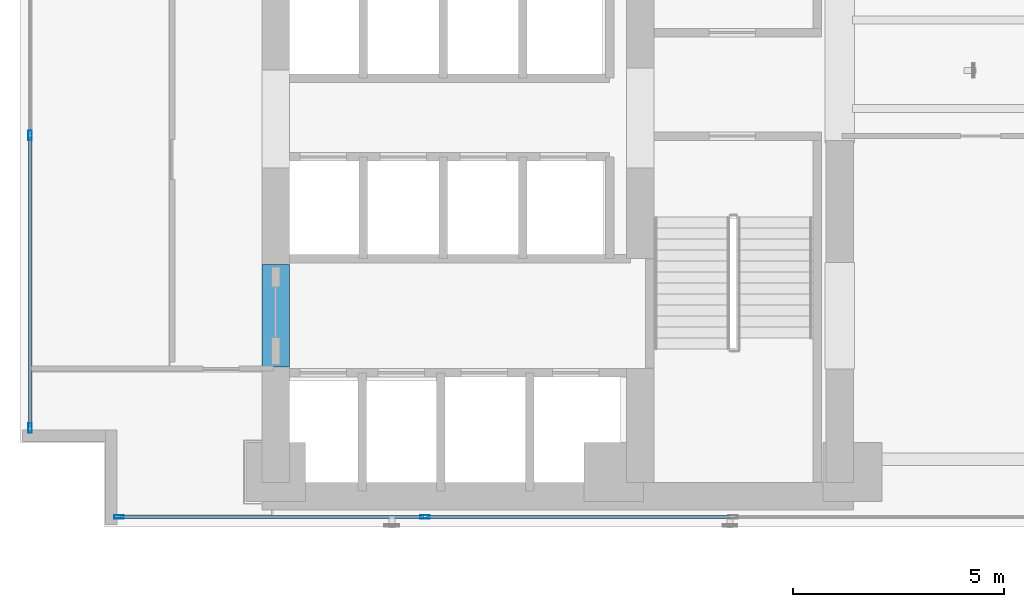
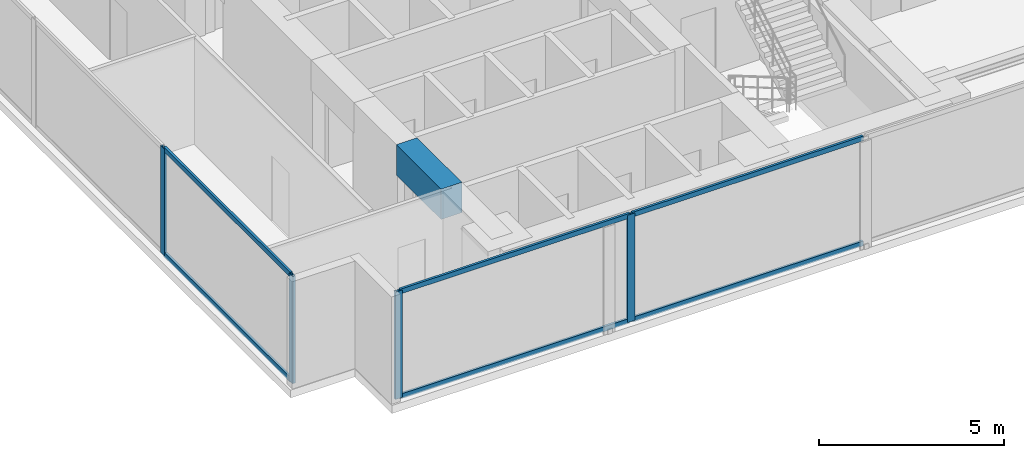
# One storey, part 2 of 28: 10 members, 1 beam, 2 elements without a shape of their own.
"""IFC4 building model written with IfcOpenShell, lengths in metres."""

import ifcopenshell
import ifcopenshell.guid

model = None  # the IFC model being written
_history = None  # IfcOwnerHistory: only IFC2X3 demands one
_inside = {}  # id of a spatial element -> (the spatial element, [elements in it])
_under = {}  # id of a project, library or spatial element -> (it, [spatial elements below it])
_declared = {}  # id of a project -> (the project, [libraries it declares])
_typed = {}  # id of a type object -> (the type object, [elements of that type])
_made_of = {}  # id of a material, layer set ... -> (it, [elements and type objects made of it])


def new_model(schema):
    """Start an empty IFC model of exactly this schema.

    Asked for "IFC4X3", IfcOpenShell would pick the latest addendum, in which some entities
    have other attributes; the version numbers below select the first issue.
    IFC2X3 requires an IfcOwnerHistory on every rooted entity: one is made here for all.
    """
    global model, _history
    if schema == "IFC4X3":
        model = ifcopenshell.file(schema_version=(4, 3, 0, 0))
    else:
        model = ifcopenshell.file(schema=schema)
    _inside.clear()
    _under.clear()
    _declared.clear()
    _typed.clear()
    _made_of.clear()
    _history = None
    if model.schema == "IFC2X3":
        org = make("IfcOrganization", Name="unknown")
        user = make(
            "IfcPersonAndOrganization",
            ThePerson=make("IfcPerson", FamilyName="unknown"),
            TheOrganization=org,
        )
        app = make(
            "IfcApplication",
            ApplicationDeveloper=org,
            Version="unknown",
            ApplicationFullName="unknown",
            ApplicationIdentifier="unknown",
        )
        _history = make(
            "IfcOwnerHistory",
            OwningUser=user,
            OwningApplication=app,
            ChangeAction="ADDED",
            CreationDate=0,
        )
    return model


def make(cls, **values):
    """One entity of the class cls with the attributes given. An attribute that is None is left unset."""
    return model.create_entity(
        cls, **{name: value for name, value in values.items() if value is not None}
    )


def rooted(cls, **values):
    """An entity with a GlobalId (a new one), such as an element, a storey or a relation."""
    return make(cls, GlobalId=ifcopenshell.guid.new(), OwnerHistory=_history, **values)


def si_unit(unit_type, name, prefix=None):
    """IfcSIUnit, for example si_unit("LENGTHUNIT", "METRE", prefix="MILLI")."""
    return make("IfcSIUnit", UnitType=unit_type, Prefix=prefix, Name=name)


def assignment(units):
    """IfcUnitAssignment: the units of a project."""
    return None if units is None else make("IfcUnitAssignment", Units=units)


def point(xyz):
    """IfcCartesianPoint."""
    return None if xyz is None else make("IfcCartesianPoint", Coordinates=xyz)


def direction(xyz):
    """IfcDirection."""
    return None if xyz is None else make("IfcDirection", DirectionRatios=xyz)


def frame(location, z_axis=None, x_axis=None):
    """IfcAxis2Placement3D, a coordinate frame: its origin and axes. An axis left out is left unset."""
    return make(
        "IfcAxis2Placement3D",
        Location=point(location),
        Axis=direction(z_axis),
        RefDirection=direction(x_axis),
    )


def frame_2d(location, x_axis=None):
    """IfcAxis2Placement2D, a coordinate frame in the plane: its origin and x axis."""
    return make(
        "IfcAxis2Placement2D", Location=point(location), RefDirection=direction(x_axis)
    )


def origin():
    """The frame at (0, 0, 0) with its axes left unset."""
    return frame((0.0, 0.0, 0.0))


def origin_with_axes():
    """The frame at (0, 0, 0) with the z axis (0, 0, 1) and the x axis (1, 0, 0) written out."""
    return frame((0.0, 0.0, 0.0), z_axis=(0.0, 0.0, 1.0), x_axis=(1.0, 0.0, 0.0))


def origin_2d():
    """The frame at (0, 0) in the plane with its x axis left unset."""
    return frame_2d((0.0, 0.0))


def place(relative_to, where):
    """IfcLocalPlacement: puts the frame where relative to a parent placement (None: the world)."""
    return make(
        "IfcLocalPlacement", PlacementRelTo=relative_to, RelativePlacement=where
    )


def context(
    kind, dimensions, precision=None, world=None, true_north=None, identifier=None
):
    """IfcGeometricRepresentationContext, for example the 3D "Model" context."""
    return make(
        "IfcGeometricRepresentationContext",
        ContextIdentifier=identifier,
        ContextType=kind,
        CoordinateSpaceDimension=dimensions,
        Precision=precision,
        WorldCoordinateSystem=world,
        TrueNorth=true_north,
    )


def subcontext(parent, identifier, kind, view, scale=None):
    """IfcGeometricRepresentationSubContext, for example "Body" below "Model"."""
    return make(
        "IfcGeometricRepresentationSubContext",
        ContextIdentifier=identifier,
        ContextType=kind,
        ParentContext=parent,
        TargetScale=scale,
        TargetView=view,
    )


def project(units=None, contexts=None):
    """IfcProject with its units and contexts."""
    return rooted(
        "IfcProject",
        Name="project",
        RepresentationContexts=contexts,
        UnitsInContext=assignment(units),
    )


def spatial(cls, under=None, at=None, **own):
    """A site, building, storey or space (cls), placed at a placement, below another one or the project."""
    s = rooted(cls, ObjectPlacement=at, **own)
    if under is not None:
        _under.setdefault(under.id(), (under, []))[1].append(s)
    return s


def profile(cls, at=None, kind="AREA", **sizes):
    """A parametric profile (cls). Its sizes go by their IFC names, for example OverallWidth=200.0."""
    return make(cls, ProfileType=kind, Position=at, **sizes)


def rectangle(**sizes):
    """IfcRectangleProfileDef."""
    return profile("IfcRectangleProfileDef", **sizes)


def hollow_rectangle(**sizes):
    """IfcRectangleHollowProfileDef."""
    return profile("IfcRectangleHollowProfileDef", **sizes)


def extrude(swept, where, along, depth):
    """IfcExtrudedAreaSolid: the profile swept, set in the frame where, extruded along a direction by depth."""
    return make(
        "IfcExtrudedAreaSolid",
        SweptArea=swept,
        Position=where,
        ExtrudedDirection=direction(along),
        Depth=depth,
    )


def shape(context_of_items, identifier, shape_type, items):
    """IfcShapeRepresentation: the items that make up one representation, for example the "Body"."""
    return make(
        "IfcShapeRepresentation",
        ContextOfItems=context_of_items,
        RepresentationIdentifier=identifier,
        RepresentationType=shape_type,
        Items=items,
    )


def source(mapping_origin, context_of_items, identifier, shape_type, items):
    """IfcRepresentationMap: a shape defined once, which mapped items show again and again."""
    return make(
        "IfcRepresentationMap",
        MappingOrigin=mapping_origin,
        MappedRepresentation=shape(context_of_items, identifier, shape_type, items),
    )


def transform(
    local_origin,
    x_axis=None,
    y_axis=None,
    z_axis=None,
    scale=None,
    scale2=None,
    scale3=None,
    uniform=True,
):
    """IfcCartesianTransformationOperator3D, or its non-uniform kind. x_axis, y_axis, z_axis: its Axis1, 2, 3."""
    if uniform:
        return make(
            "IfcCartesianTransformationOperator3D",
            Axis1=direction(x_axis),
            Axis2=direction(y_axis),
            LocalOrigin=point(local_origin),
            Scale=scale,
            Axis3=direction(z_axis),
        )
    return make(
        "IfcCartesianTransformationOperator3DnonUniform",
        Axis1=direction(x_axis),
        Axis2=direction(y_axis),
        LocalOrigin=point(local_origin),
        Scale=scale,
        Axis3=direction(z_axis),
        Scale2=scale2,
        Scale3=scale3,
    )


def mapped(mapping_source, mapping_target):
    """IfcMappedItem: shows the shape of a source again, moved by a transform."""
    return make(
        "IfcMappedItem", MappingSource=mapping_source, MappingTarget=mapping_target
    )


def material(Name=None, Category=None):
    """IfcMaterial."""
    return make("IfcMaterial", Name=Name, Category=Category)


def layer(
    of_material, thickness, ventilated=None, Name=None, Category=None, Priority=None
):
    """IfcMaterialLayer: one layer of a wall or slab, of a material (None: an air gap)."""
    return make(
        "IfcMaterialLayer",
        Material=of_material,
        LayerThickness=thickness,
        IsVentilated=ventilated,
        Name=Name,
        Category=Category,
        Priority=Priority,
    )


def layer_set(layers, Name=None):
    """IfcMaterialLayerSet."""
    return make("IfcMaterialLayerSet", MaterialLayers=layers, LayerSetName=Name)


def material_profile(
    of_material, cross_section, Name=None, Category=None, Priority=None
):
    """IfcMaterialProfile: a cross section and its material."""
    return make(
        "IfcMaterialProfile",
        Name=Name,
        Material=of_material,
        Profile=cross_section,
        Priority=Priority,
        Category=Category,
    )


def profile_set(profiles, Name=None, composite=None):
    """IfcMaterialProfileSet."""
    return make(
        "IfcMaterialProfileSet",
        Name=Name,
        MaterialProfiles=profiles,
        CompositeProfile=composite,
    )


def made_of(thing, what):
    """Note that an element or type object is made of a material, layer set ...; save() writes the relation."""
    if what is not None:
        _made_of.setdefault(what.id(), (what, []))[1].append(thing)
    return thing


def type_object(cls, material=None, **own):
    """A type object (cls), such as IfcWallType, which elements share."""
    return made_of(rooted(cls, **own), material)


def element(
    cls,
    number,
    at=None,
    inside=None,
    cuts=None,
    type_object=None,
    material=None,
    context=None,
    identifier="Body",
    shape_type=None,
    held_by="IfcProductDefinitionShape",
    body=None,
    shapes=None,
    **own,
):
    """One element of the class cls, such as IfcWall. Its Tag is "e" and its number.

    at: its placement. inside: the storey or other place that contains it. cuts: it is an
    opening in that element (IfcRelVoidsElement). A single representation is given by context,
    identifier, shape_type and body (its items); several are given by shapes. held_by: the class
    of the entity that holds the representations. save() writes the other relations.
    """
    e = rooted(cls, Tag="e%d" % number, ObjectPlacement=at, **own)
    if body is not None:
        shapes = [shape(context, identifier, shape_type, body)]
    if shapes is not None:
        e.Representation = make(held_by, Representations=shapes)
    if inside is not None:
        _inside.setdefault(inside.id(), (inside, []))[1].append(e)
    if cuts is not None:
        rooted(
            "IfcRelVoidsElement", RelatingBuildingElement=cuts, RelatedOpeningElement=e
        )
    if type_object is not None:
        _typed.setdefault(type_object.id(), (type_object, []))[1].append(e)
    return made_of(e, material)


def aggregate(whole, parts):
    """IfcRelAggregates: a whole, such as a stair, and the parts it consists of."""
    return rooted("IfcRelAggregates", RelatingObject=whole, RelatedObjects=parts)


def save(model, path):
    """Write the relations noted so far, then the file.

    IfcRelAggregates (storeys below a building ...), IfcRelContainedInSpatialStructure (elements
    in a storey), IfcRelDefinesByType, IfcRelAssociatesMaterial and IfcRelDeclares: one each for
    every whole, place, type object, material and project.
    """
    for whole, parts in _under.values():
        aggregate(whole, parts)
    for where, things in _inside.values():
        rooted(
            "IfcRelContainedInSpatialStructure",
            RelatedElements=things,
            RelatingStructure=where,
        )
    for kind, things in _typed.values():
        rooted("IfcRelDefinesByType", RelatedObjects=things, RelatingType=kind)
    for what, things in _made_of.values():
        rooted("IfcRelAssociatesMaterial", RelatedObjects=things, RelatingMaterial=what)
    for by, libraries in _declared.values():
        rooted("IfcRelDeclares", RelatingContext=by, RelatedDefinitions=libraries)
    model.write(path)


model = new_model("IFC4")

# Units and contexts
model_context = context("Model", 3, precision=1e-05, world=origin(), true_north=direction((0.0, 1.0)))
body_context = subcontext(model_context, "Body", "Model", "MODEL_VIEW")
ifc_project = project(units=[si_unit("LENGTHUNIT", "METRE"), si_unit("AREAUNIT", "SQUARE_METRE"), si_unit("VOLUMEUNIT", "CUBIC_METRE"), si_unit("PLANEANGLEUNIT", "RADIAN"), si_unit("MASSUNIT", "GRAM", prefix="KILO")], contexts=[model_context])

# Site, building, storey
site_placement = place(None, origin())
site = spatial("IfcSite", under=ifc_project, at=site_placement, CompositionType="ELEMENT")
building_placement = place(site_placement, origin())
building = spatial("IfcBuilding", under=site, at=building_placement, Name="Kolvaren Waterfront Exchange", CompositionType="ELEMENT")
storey_placement = place(building_placement, frame((0.0, 0.0, 103.10009765625)))
storey = spatial("IfcBuildingStorey", under=building, at=storey_placement, Name="L26", CompositionType="ELEMENT", Elevation=103.10009765625)

# Beam
ifc_material_1 = material(Name="Concrete C60/75", Category="concrete")
ifc_material_profile_1 = material_profile(ifc_material_1, rectangle(XDim=0.64990234375, YDim=1.0, at=origin_2d()), Name="RC-CB-1000x650")
ifc_profile_set_1 = profile_set([ifc_material_profile_1], Name="Concrete C60/75")
beam_type = type_object("IfcBeamType", Name="STR-CB-1000", PredefinedType="SPANDREL", material=ifc_profile_set_1)
beam_placement = place(storey_placement, frame((7.449951171875, 7.389892578125, 3.039794921875), z_axis=(0.0, 1.0, 0.0), x_axis=(-1.0, 0.0, 0.0)))
element("IfcBeam", 1, at=beam_placement, inside=storey, type_object=beam_type, Name="L26 core coupling beam 3", PredefinedType="SPANDREL", context=body_context, shape_type="SweptSolid", body=[
    extrude(rectangle(XDim=0.64990234375, YDim=1.0, at=origin_2d()), origin(), (0.0, 0.0, 1.0), 2.420166015625),
])

# Curtain wall, members
ifc_material_2 = material(Name="Anodised bronze aluminium 6063-T6", Category="aluminium")
ifc_layer_1 = layer(ifc_material_2, 0.219970703125, Name="Anodised bronze aluminium 6063-T6")
ifc_layer_set_1 = layer_set([ifc_layer_1], Name="Anodised bronze aluminium 6063-T6")
curtain_wall_type_1 = type_object("IfcCurtainWallType", Name="ARC-CW-SYS1", PredefinedType="USERDEFINED", material=ifc_layer_set_1)
curtain_wall_1_placement = place(storey_placement, origin())
curtain_wall_1 = element("IfcCurtainWall", 2, at=curtain_wall_1_placement, inside=storey, type_object=curtain_wall_type_1, Name="L26 stick curtain wall CW1 (CW-L26-S)", ObjectType="STICK CURTAIN WALL", PredefinedType="USERDEFINED")
ifc_material_3 = material(Name="Anodised aluminium 6063-T6", Category="aluminium")
ifc_material_profile_2 = material_profile(ifc_material_3, hollow_rectangle(XDim=0.080078125, YDim=0.219970703125, WallThickness=0.0048828125, at=origin_2d()), Name="ALU-MUL-220x80x5")
ifc_profile_set_2 = profile_set([ifc_material_profile_2], Name="Anodised aluminium 6063-T6")
member_type_1 = type_object("IfcMemberType", Name="ARC-CWM-220", PredefinedType="MULLION", material=ifc_profile_set_2)
shared_shape_1 = source(origin_with_axes(), body_context, "Body", "SweptSolid", [
    extrude(hollow_rectangle(XDim=0.080078125, YDim=0.219970703125, WallThickness=0.0048828125, at=origin_2d()), origin(), (0.0, 0.0, 1.0), 3.539794921875),
])
member_1_placement = place(storey_placement, frame((3.739990234375, 3.840087890625, 0.0), z_axis=(0.0, 0.0, 1.0), x_axis=(0.0, 1.0, 0.0)))
member_1 = element("IfcMember", 3, at=member_1_placement, type_object=member_type_1, Name="CW1 mullion 1", PredefinedType="MULLION", context=body_context, shape_type="MappedRepresentation", body=[
    mapped(shared_shape_1, transform((0.0, 0.0, 0.0), x_axis=(1.0, 0.0, 0.0), y_axis=(0.0, 1.0, 0.0), z_axis=(0.0, 0.0, 1.0), scale=1.0)),
])
member_2_placement = place(storey_placement, frame((10.985595703125, 3.840087890625, 0.0), z_axis=(0.0, 0.0, 1.0), x_axis=(0.0, 1.0, 0.0)))
member_2 = element("IfcMember", 4, at=member_2_placement, type_object=member_type_1, Name="CW1 mullion 2", PredefinedType="MULLION", context=body_context, shape_type="MappedRepresentation", body=[
    mapped(shared_shape_1, transform((0.0, 0.0, 0.0), x_axis=(1.0, 0.0, 0.0), y_axis=(0.0, 1.0, 0.0), z_axis=(0.0, 0.0, 1.0), scale=1.0)),
])

ifc_layer_2 = layer(ifc_material_3, 0.219970703125, Name="Anodised aluminium 6063-T6")
ifc_layer_set_2 = layer_set([ifc_layer_2], Name="Anodised aluminium 6063-T6")
curtain_wall_type_2 = type_object("IfcCurtainWallType", Name="ARC-CW-SYS2", PredefinedType="USERDEFINED", material=ifc_layer_set_2)
curtain_wall_2_placement = place(storey_placement, origin())
curtain_wall_2 = element("IfcCurtainWall", 5, at=curtain_wall_2_placement, inside=storey, type_object=curtain_wall_type_2, Name="L26 stick curtain wall CW2 (CW-L26-W)", ObjectType="STICK CURTAIN WALL", PredefinedType="USERDEFINED")
member_3_placement = place(storey_placement, frame((1.639892578125, 5.93994140625, 0.0), z_axis=(0.0, 0.0, 1.0), x_axis=(-1.0, 0.0, 0.0)))
member_3 = element("IfcMember", 6, at=member_3_placement, type_object=member_type_1, Name="CW2 mullion 1", PredefinedType="MULLION", context=body_context, shape_type="MappedRepresentation", body=[
    mapped(shared_shape_1, transform((0.0, 0.0, 0.0), x_axis=(1.0, 0.0, 0.0), y_axis=(0.0, 1.0, 0.0), z_axis=(0.0, 0.0, 1.0), scale=1.0)),
])
member_4_placement = place(storey_placement, frame((1.639892578125, 12.86669921875, 0.0), z_axis=(0.0, 0.0, 1.0), x_axis=(-1.0, 0.0, 0.0)))
member_4 = element("IfcMember", 7, at=member_4_placement, type_object=member_type_1, Name="CW2 mullion 2", PredefinedType="MULLION", context=body_context, shape_type="MappedRepresentation", body=[
    mapped(shared_shape_1, transform((0.0, 0.0, 0.0), x_axis=(1.0, 0.0, 0.0), y_axis=(0.0, 1.0, 0.0), z_axis=(0.0, 0.0, 1.0), scale=1.0)),
])
ifc_material_profile_3 = material_profile(ifc_material_3, hollow_rectangle(XDim=0.074951171875, YDim=0.159912109375, WallThickness=0.00439453125, at=origin_2d()), Name="ALU-TRN-160x75x4.5")
ifc_profile_set_3 = profile_set([ifc_material_profile_3], Name="Anodised aluminium 6063-T6")
member_type_2 = type_object("IfcMemberType", Name="ARC-CWT-160", PredefinedType="USERDEFINED", material=ifc_profile_set_3)
shared_shape_2 = source(origin_with_axes(), body_context, "Body", "SweptSolid", [
    extrude(hollow_rectangle(XDim=0.074951171875, YDim=0.159912109375, WallThickness=0.00439453125, at=origin_2d()), origin(), (0.0, 0.0, 1.0), 6.8466796875),
])
member_5_placement = place(storey_placement, frame((1.639892578125, 5.97998046875, 0.037353515625), z_axis=(0.0, 1.0, 0.0), x_axis=(-1.0, 0.0, 0.0)))
member_5 = element("IfcMember", 8, at=member_5_placement, type_object=member_type_2, Name="CW2 transom 1.1", ObjectType="TRANSOM", PredefinedType="USERDEFINED", context=body_context, shape_type="MappedRepresentation", body=[
    mapped(shared_shape_2, transform((0.0, 0.0, 0.0), x_axis=(1.0, 0.0, 0.0), y_axis=(0.0, 1.0, 0.0), z_axis=(0.0, 0.0, 1.0), scale=1.0)),
])
member_6_placement = place(storey_placement, frame((1.639892578125, 5.97998046875, 3.50244140625), z_axis=(0.0, 1.0, 0.0), x_axis=(-1.0, 0.0, 0.0)))
member_6 = element("IfcMember", 9, at=member_6_placement, type_object=member_type_2, Name="CW2 transom 1.2", ObjectType="TRANSOM", PredefinedType="USERDEFINED", context=body_context, shape_type="MappedRepresentation", body=[
    mapped(shared_shape_2, transform((0.0, 0.0, 0.0), x_axis=(1.0, 0.0, 0.0), y_axis=(0.0, 1.0, 0.0), z_axis=(0.0, 0.0, 1.0), scale=1.0)),
])
aggregate(curtain_wall_2, [member_3, member_4, member_5, member_6])

# Member
shared_shape_3 = source(origin_with_axes(), body_context, "Body", "SweptSolid", [
    extrude(hollow_rectangle(XDim=0.074951171875, YDim=0.159912109375, WallThickness=0.00439453125, at=origin_2d()), origin(), (0.0, 0.0, 1.0), 7.165771484375),
])
member_7_placement = place(storey_placement, frame((3.780029296875, 3.840087890625, 0.037353515625), z_axis=(1.0, 0.0, 0.0), x_axis=(0.0, 1.0, 0.0)))
member_7 = element("IfcMember", 10, at=member_7_placement, type_object=member_type_2, Name="CW1 transom 1.1", ObjectType="TRANSOM", PredefinedType="USERDEFINED", context=body_context, shape_type="MappedRepresentation", body=[
    mapped(shared_shape_3, transform((0.0, 0.0, 0.0), x_axis=(1.0, 0.0, 0.0), y_axis=(0.0, 1.0, 0.0), z_axis=(0.0, 0.0, 1.0), scale=1.0)),
])

member_8_placement = place(storey_placement, frame((3.780029296875, 3.840087890625, 3.50244140625), z_axis=(1.0, 0.0, 0.0), x_axis=(0.0, 1.0, 0.0)))
member_8 = element("IfcMember", 11, at=member_8_placement, type_object=member_type_2, Name="CW1 transom 1.2", ObjectType="TRANSOM", PredefinedType="USERDEFINED", context=body_context, shape_type="MappedRepresentation", body=[
    mapped(shared_shape_3, transform((0.0, 0.0, 0.0), x_axis=(1.0, 0.0, 0.0), y_axis=(0.0, 1.0, 0.0), z_axis=(0.0, 0.0, 1.0), scale=1.0)),
])

shared_shape_4 = source(origin_with_axes(), body_context, "Body", "SweptSolid", [
    extrude(hollow_rectangle(XDim=0.074951171875, YDim=0.159912109375, WallThickness=0.00439453125, at=origin_2d()), origin(), (0.0, 0.0, 1.0), 7.205810546875),
])
member_9_placement = place(storey_placement, frame((11.025634765625, 3.840087890625, 0.037353515625), z_axis=(1.0, 0.0, 0.0), x_axis=(0.0, 1.0, 0.0)))
member_9 = element("IfcMember", 12, at=member_9_placement, type_object=member_type_2, Name="CW1 transom 2.1", ObjectType="TRANSOM", PredefinedType="USERDEFINED", context=body_context, shape_type="MappedRepresentation", body=[
    mapped(shared_shape_4, transform((0.0, 0.0, 0.0), x_axis=(1.0, 0.0, 0.0), y_axis=(0.0, 1.0, 0.0), z_axis=(0.0, 0.0, 1.0), scale=1.0)),
])

member_10_placement = place(storey_placement, frame((11.025634765625, 3.840087890625, 3.50244140625), z_axis=(1.0, 0.0, 0.0), x_axis=(0.0, 1.0, 0.0)))
member_10 = element("IfcMember", 13, at=member_10_placement, type_object=member_type_2, Name="CW1 transom 2.2", ObjectType="TRANSOM", PredefinedType="USERDEFINED", context=body_context, shape_type="MappedRepresentation", body=[
    mapped(shared_shape_4, transform((0.0, 0.0, 0.0), x_axis=(1.0, 0.0, 0.0), y_axis=(0.0, 1.0, 0.0), z_axis=(0.0, 0.0, 1.0), scale=1.0)),
])

aggregate(curtain_wall_1, [member_1, member_2, member_7, member_8, member_9, member_10])

save(model, "model.ifc")
